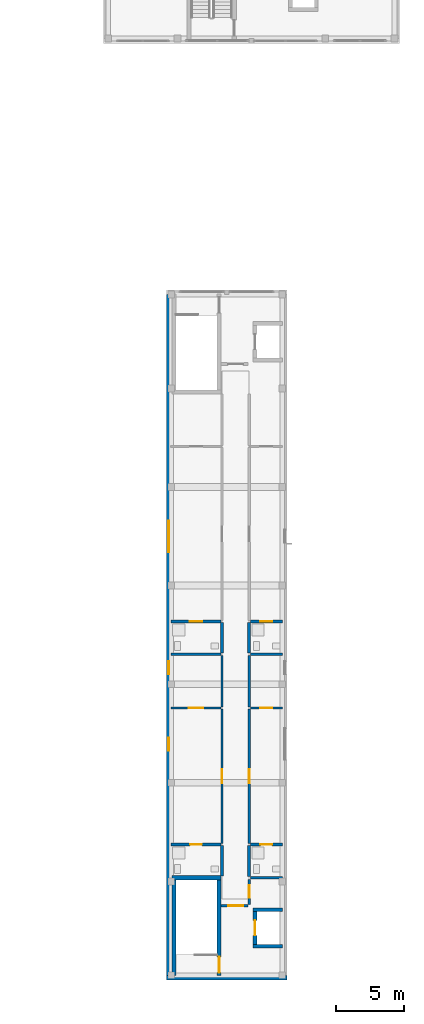
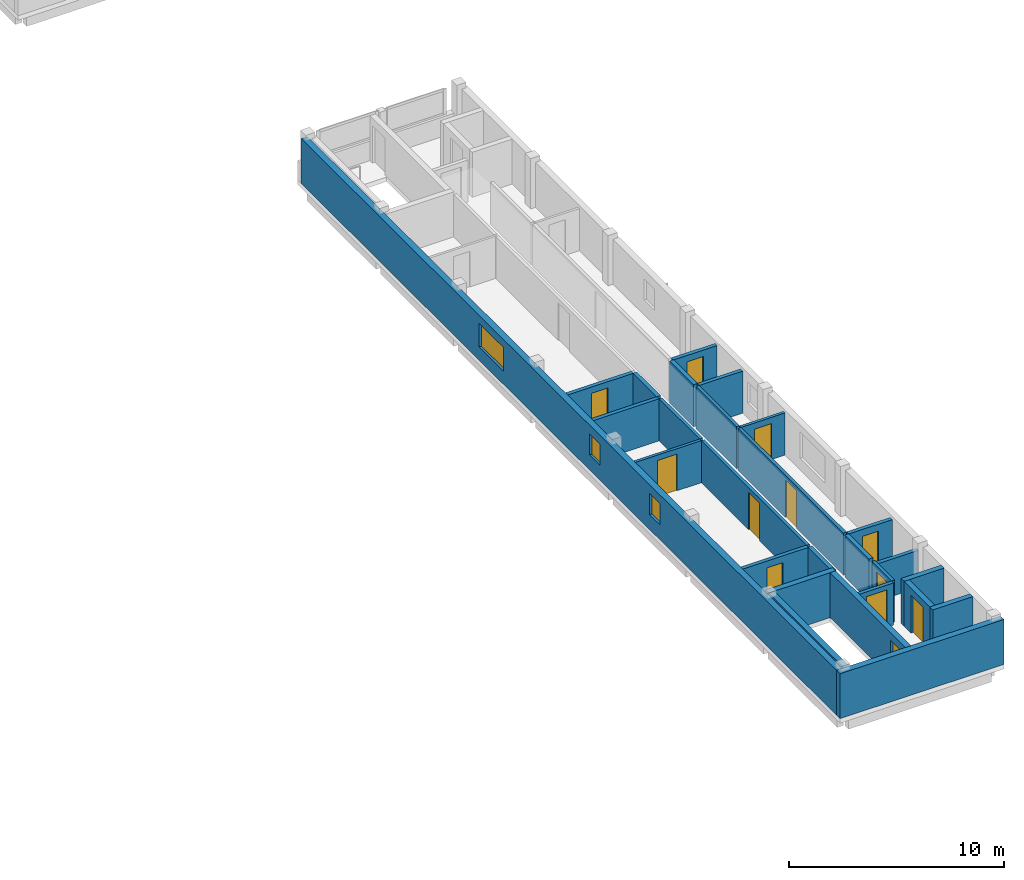
# One storey, part 14 of 28: 27 walls, 12 doors, 3 windows, 15 openings.
"""IFC4 building model written with IfcOpenShell, lengths in metres."""

import ifcopenshell
import ifcopenshell.guid

model = None  # the IFC model being written
_history = None  # IfcOwnerHistory: only IFC2X3 demands one
_inside = {}  # id of a spatial element -> (the spatial element, [elements in it])
_under = {}  # id of a project, library or spatial element -> (it, [spatial elements below it])
_declared = {}  # id of a project -> (the project, [libraries it declares])
_typed = {}  # id of a type object -> (the type object, [elements of that type])
_made_of = {}  # id of a material, layer set ... -> (it, [elements and type objects made of it])


def new_model(schema):
    """Start an empty IFC model of exactly this schema.

    Asked for "IFC4X3", IfcOpenShell would pick the latest addendum, in which some entities
    have other attributes; the version numbers below select the first issue.
    IFC2X3 requires an IfcOwnerHistory on every rooted entity: one is made here for all.
    """
    global model, _history
    if schema == "IFC4X3":
        model = ifcopenshell.file(schema_version=(4, 3, 0, 0))
    else:
        model = ifcopenshell.file(schema=schema)
    _inside.clear()
    _under.clear()
    _declared.clear()
    _typed.clear()
    _made_of.clear()
    _history = None
    if model.schema == "IFC2X3":
        org = make("IfcOrganization", Name="unknown")
        user = make(
            "IfcPersonAndOrganization",
            ThePerson=make("IfcPerson", FamilyName="unknown"),
            TheOrganization=org,
        )
        app = make(
            "IfcApplication",
            ApplicationDeveloper=org,
            Version="unknown",
            ApplicationFullName="unknown",
            ApplicationIdentifier="unknown",
        )
        _history = make(
            "IfcOwnerHistory",
            OwningUser=user,
            OwningApplication=app,
            ChangeAction="ADDED",
            CreationDate=0,
        )
    return model


def make(cls, **values):
    """One entity of the class cls with the attributes given. An attribute that is None is left unset."""
    return model.create_entity(
        cls, **{name: value for name, value in values.items() if value is not None}
    )


def rooted(cls, **values):
    """An entity with a GlobalId (a new one), such as an element, a storey or a relation."""
    return make(cls, GlobalId=ifcopenshell.guid.new(), OwnerHistory=_history, **values)


def si_unit(unit_type, name, prefix=None):
    """IfcSIUnit, for example si_unit("LENGTHUNIT", "METRE", prefix="MILLI")."""
    return make("IfcSIUnit", UnitType=unit_type, Prefix=prefix, Name=name)


def derived_unit(unit_type, elements):
    """IfcDerivedUnit: a product of units, each with its exponent."""
    return make(
        "IfcDerivedUnit",
        Elements=[
            make("IfcDerivedUnitElement", Unit=unit, Exponent=power)
            for unit, power in elements
        ],
        UnitType=unit_type,
    )


def assignment(units):
    """IfcUnitAssignment: the units of a project."""
    return None if units is None else make("IfcUnitAssignment", Units=units)


def point(xyz):
    """IfcCartesianPoint."""
    return None if xyz is None else make("IfcCartesianPoint", Coordinates=xyz)


def direction(xyz):
    """IfcDirection."""
    return None if xyz is None else make("IfcDirection", DirectionRatios=xyz)


def frame(location, z_axis=None, x_axis=None):
    """IfcAxis2Placement3D, a coordinate frame: its origin and axes. An axis left out is left unset."""
    return make(
        "IfcAxis2Placement3D",
        Location=point(location),
        Axis=direction(z_axis),
        RefDirection=direction(x_axis),
    )


def frame_2d(location, x_axis=None):
    """IfcAxis2Placement2D, a coordinate frame in the plane: its origin and x axis."""
    return make(
        "IfcAxis2Placement2D", Location=point(location), RefDirection=direction(x_axis)
    )


def origin():
    """The frame at (0, 0, 0) with its axes left unset."""
    return frame((0.0, 0.0, 0.0))


def place(relative_to, where):
    """IfcLocalPlacement: puts the frame where relative to a parent placement (None: the world)."""
    return make(
        "IfcLocalPlacement", PlacementRelTo=relative_to, RelativePlacement=where
    )


def context(
    kind, dimensions, precision=None, world=None, true_north=None, identifier=None
):
    """IfcGeometricRepresentationContext, for example the 3D "Model" context."""
    return make(
        "IfcGeometricRepresentationContext",
        ContextIdentifier=identifier,
        ContextType=kind,
        CoordinateSpaceDimension=dimensions,
        Precision=precision,
        WorldCoordinateSystem=world,
        TrueNorth=true_north,
    )


def subcontext(parent, identifier, kind, view, scale=None):
    """IfcGeometricRepresentationSubContext, for example "Body" below "Model"."""
    return make(
        "IfcGeometricRepresentationSubContext",
        ContextIdentifier=identifier,
        ContextType=kind,
        ParentContext=parent,
        TargetScale=scale,
        TargetView=view,
    )


def project(units=None, contexts=None):
    """IfcProject with its units and contexts."""
    return rooted(
        "IfcProject",
        Name="project",
        RepresentationContexts=contexts,
        UnitsInContext=assignment(units),
    )


def spatial(cls, under=None, at=None, **own):
    """A site, building, storey or space (cls), placed at a placement, below another one or the project."""
    s = rooted(cls, ObjectPlacement=at, **own)
    if under is not None:
        _under.setdefault(under.id(), (under, []))[1].append(s)
    return s


def profile(cls, at=None, kind="AREA", **sizes):
    """A parametric profile (cls). Its sizes go by their IFC names, for example OverallWidth=200.0."""
    return make(cls, ProfileType=kind, Position=at, **sizes)


def rectangle(**sizes):
    """IfcRectangleProfileDef."""
    return profile("IfcRectangleProfileDef", **sizes)


def extrude(swept, where, along, depth):
    """IfcExtrudedAreaSolid: the profile swept, set in the frame where, extruded along a direction by depth."""
    return make(
        "IfcExtrudedAreaSolid",
        SweptArea=swept,
        Position=where,
        ExtrudedDirection=direction(along),
        Depth=depth,
    )


def shape(context_of_items, identifier, shape_type, items):
    """IfcShapeRepresentation: the items that make up one representation, for example the "Body"."""
    return make(
        "IfcShapeRepresentation",
        ContextOfItems=context_of_items,
        RepresentationIdentifier=identifier,
        RepresentationType=shape_type,
        Items=items,
    )


def material(Name=None, Category=None):
    """IfcMaterial."""
    return make("IfcMaterial", Name=Name, Category=Category)


def layer(
    of_material, thickness, ventilated=None, Name=None, Category=None, Priority=None
):
    """IfcMaterialLayer: one layer of a wall or slab, of a material (None: an air gap)."""
    return make(
        "IfcMaterialLayer",
        Material=of_material,
        LayerThickness=thickness,
        IsVentilated=ventilated,
        Name=Name,
        Category=Category,
        Priority=Priority,
    )


def layer_set(layers, Name=None):
    """IfcMaterialLayerSet."""
    return make("IfcMaterialLayerSet", MaterialLayers=layers, LayerSetName=Name)


def made_of(thing, what):
    """Note that an element or type object is made of a material, layer set ...; save() writes the relation."""
    if what is not None:
        _made_of.setdefault(what.id(), (what, []))[1].append(thing)
    return thing


def type_object(cls, material=None, **own):
    """A type object (cls), such as IfcWallType, which elements share."""
    return made_of(rooted(cls, **own), material)


def element(
    cls,
    number,
    at=None,
    inside=None,
    cuts=None,
    type_object=None,
    material=None,
    context=None,
    identifier="Body",
    shape_type=None,
    held_by="IfcProductDefinitionShape",
    body=None,
    shapes=None,
    **own,
):
    """One element of the class cls, such as IfcWall. Its Tag is "e" and its number.

    at: its placement. inside: the storey or other place that contains it. cuts: it is an
    opening in that element (IfcRelVoidsElement). A single representation is given by context,
    identifier, shape_type and body (its items); several are given by shapes. held_by: the class
    of the entity that holds the representations. save() writes the other relations.
    """
    e = rooted(cls, Tag="e%d" % number, ObjectPlacement=at, **own)
    if body is not None:
        shapes = [shape(context, identifier, shape_type, body)]
    if shapes is not None:
        e.Representation = make(held_by, Representations=shapes)
    if inside is not None:
        _inside.setdefault(inside.id(), (inside, []))[1].append(e)
    if cuts is not None:
        rooted(
            "IfcRelVoidsElement", RelatingBuildingElement=cuts, RelatedOpeningElement=e
        )
    if type_object is not None:
        _typed.setdefault(type_object.id(), (type_object, []))[1].append(e)
    return made_of(e, material)


def fill(opening, filler):
    """IfcRelFillsElement: the door or window that sits in an opening."""
    return rooted(
        "IfcRelFillsElement",
        RelatingOpeningElement=opening,
        RelatedBuildingElement=filler,
    )


def aggregate(whole, parts):
    """IfcRelAggregates: a whole, such as a stair, and the parts it consists of."""
    return rooted("IfcRelAggregates", RelatingObject=whole, RelatedObjects=parts)


def save(model, path):
    """Write the relations noted so far, then the file.

    IfcRelAggregates (storeys below a building ...), IfcRelContainedInSpatialStructure (elements
    in a storey), IfcRelDefinesByType, IfcRelAssociatesMaterial and IfcRelDeclares: one each for
    every whole, place, type object, material and project.
    """
    for whole, parts in _under.values():
        aggregate(whole, parts)
    for where, things in _inside.values():
        rooted(
            "IfcRelContainedInSpatialStructure",
            RelatedElements=things,
            RelatingStructure=where,
        )
    for kind, things in _typed.values():
        rooted("IfcRelDefinesByType", RelatedObjects=things, RelatingType=kind)
    for what, things in _made_of.values():
        rooted("IfcRelAssociatesMaterial", RelatedObjects=things, RelatingMaterial=what)
    for by, libraries in _declared.values():
        rooted("IfcRelDeclares", RelatingContext=by, RelatedDefinitions=libraries)
    model.write(path)


model = new_model("IFC4")

# Units and contexts
model_context = context("Model", 3, precision=1e-05, world=origin(), true_north=direction((0.0, 1.0)))
body_context = subcontext(model_context, "Body", "Model", "MODEL_VIEW")
ifc_project = project(units=[si_unit("LENGTHUNIT", "METRE"), si_unit("AREAUNIT", "SQUARE_METRE"), si_unit("VOLUMEUNIT", "CUBIC_METRE"), si_unit("PLANEANGLEUNIT", "RADIAN"), si_unit("MASSUNIT", "GRAM", prefix="KILO"), derived_unit("THERMALTRANSMITTANCEUNIT", [(si_unit("MASSUNIT", "GRAM", prefix="KILO"), 1), (si_unit("TIMEUNIT", "SECOND"), -3), (si_unit("THERMODYNAMICTEMPERATUREUNIT", "KELVIN"), -1)])], contexts=[model_context])

# Site, building, storey
site_placement = place(None, origin())
site = spatial("IfcSite", under=ifc_project, at=site_placement, CompositionType="ELEMENT")
building_placement = place(site_placement, origin())
building = spatial("IfcBuilding", under=site, at=building_placement, Name="Ochrekiln Boulevard Commons", CompositionType="ELEMENT")
storey_placement = place(building_placement, frame((0.0, 0.0, 34.125)))
storey = spatial("IfcBuildingStorey", under=building, at=storey_placement, Name="L10", CompositionType="ELEMENT", Elevation=34.125)

# Wall
ifc_material_1 = material(Name="Desert ochre clinker brick masonry ASTM C216 Grade SW", Category="masonry")
ifc_layer_1 = layer(ifc_material_1, 0.330078125)
ifc_layer_set_1 = layer_set([ifc_layer_1], Name="Desert ochre clinker brick masonry ASTM C216 Grade SW")
wall_type_1 = type_object("IfcWallType", Name="WL-EXT-OCHRE-330", PredefinedType="SOLIDWALL", material=ifc_layer_set_1)
wall_1_placement = place(storey_placement, frame((155.800048828125, 0.1650390625, 0.0), z_axis=(0.0, 0.0, 1.0), x_axis=(1.0, 0.0, 0.0)))
element("IfcWall", 1, at=wall_1_placement, inside=storey, type_object=wall_type_1, Name="Block C L10 S Exterior Wall", PredefinedType="SOLIDWALL", context=body_context, shape_type="SweptSolid", body=[
    extrude(rectangle(XDim=8.800048828125, YDim=0.330078125, at=frame_2d((4.39990234375, 0.0))), origin(), (0.0, 0.0, 1.0), 2.550048828125),
])

# Wall, openings, windows
wall_2_placement = place(storey_placement, frame((155.965087890625, 0.330078125, 0.0), z_axis=(0.0, 0.0, 1.0), x_axis=(0.0, 1.0, 0.0)))
wall_2 = element("IfcWall", 2, at=wall_2_placement, inside=storey, type_object=wall_type_1, Name="Block C L10 W Exterior Wall", PredefinedType="SOLIDWALL", context=body_context, shape_type="SweptSolid", body=[
    extrude(rectangle(XDim=49.739990234375, YDim=0.330078125, at=frame_2d((24.8701171875, 0.0))), origin(), (0.0, 0.0, 1.0), 2.550048828125),
])
opening_1_placement = place(wall_2_placement, frame((16.416015625, 0.0, 0.85009765625)))
opening_1 = element("IfcOpeningElement", 3, at=opening_1_placement, cuts=wall_2, Name="Opening W-01", PredefinedType="OPENING", context=body_context, shape_type="SweptSolid", body=[
    extrude(rectangle(XDim=0.949951171875, YDim=1.199951171875, at=frame_2d((0.47509765625, 0.60009765625))), frame((0.0, 0.175048828125, 0.0), z_axis=(0.0, -1.0, 0.0), x_axis=(1.0, 0.0, 0.0)), (0.0, 0.0, 1.0), 0.35009765625),
])
opening_2_placement = place(wall_2_placement, frame((21.98095703125, 0.0, 0.85009765625)))
opening_2 = element("IfcOpeningElement", 4, at=opening_2_placement, cuts=wall_2, Name="Opening W-01", PredefinedType="OPENING", context=body_context, shape_type="SweptSolid", body=[
    extrude(rectangle(XDim=0.949951171875, YDim=1.199951171875, at=frame_2d((0.47509765625, 0.60009765625))), frame((0.0, 0.175048828125, 0.0), z_axis=(0.0, -1.0, 0.0), x_axis=(1.0, 0.0, 0.0)), (0.0, 0.0, 1.0), 0.35009765625),
])
opening_3_placement = place(wall_2_placement, frame((30.919921875, 0.0, 0.75)))
opening_3 = element("IfcOpeningElement", 5, at=opening_3_placement, cuts=wall_2, Name="Opening W-57", PredefinedType="OPENING", context=body_context, shape_type="SweptSolid", body=[
    extrude(rectangle(XDim=2.300048828125, YDim=1.35009765625, at=frame_2d((1.14990234375, 0.675048828125))), frame((0.0, 0.175048828125, 0.0), z_axis=(0.0, -1.0, 0.0), x_axis=(1.0, 0.0, 0.0)), (0.0, 0.0, 1.0), 0.35009765625),
])
ifc_material_2 = material(Name="Thermally broken aluminium-clad oak frame", Category="aluminium")
window_type_1 = type_object("IfcWindowType", Name="WIN-EXT-01", PartitioningType="SINGLE_PANEL", PredefinedType="WINDOW", material=ifc_material_2)
window_1_placement = place(opening_1_placement, origin())
window_1 = element("IfcWindow", 6, at=window_1_placement, inside=storey, type_object=window_type_1, Name="Block C L10 Punched Masonry Window W-01", OverallHeight=1.199951171875, OverallWidth=0.949951171875, PartitioningType="SINGLE_PANEL", PredefinedType="WINDOW", context=body_context, shape_type="SweptSolid", body=[
    extrude(rectangle(XDim=0.949951171875, YDim=1.199951171875, at=frame_2d((0.47509765625, 0.60009765625))), frame((0.0, 0.030029296875, 0.0), z_axis=(0.0, -1.0, 0.0), x_axis=(1.0, 0.0, 0.0)), (0.0, 0.0, 1.0), 0.06005859375),
])
fill(opening_1, window_1)
window_2_placement = place(opening_2_placement, origin())
window_2 = element("IfcWindow", 7, at=window_2_placement, inside=storey, type_object=window_type_1, Name="Block C L10 Punched Masonry Window W-01", OverallHeight=1.199951171875, OverallWidth=0.949951171875, PartitioningType="SINGLE_PANEL", PredefinedType="WINDOW", context=body_context, shape_type="SweptSolid", body=[
    extrude(rectangle(XDim=0.949951171875, YDim=1.199951171875, at=frame_2d((0.47509765625, 0.60009765625))), frame((0.0, 0.030029296875, 0.0), z_axis=(0.0, -1.0, 0.0), x_axis=(1.0, 0.0, 0.0)), (0.0, 0.0, 1.0), 0.06005859375),
])
fill(opening_2, window_2)
window_type_2 = type_object("IfcWindowType", Name="WIN-EXT-57", PartitioningType="DOUBLE_PANEL_VERTICAL", PredefinedType="WINDOW", material=ifc_material_2)
window_3_placement = place(opening_3_placement, origin())
window_3 = element("IfcWindow", 8, at=window_3_placement, inside=storey, type_object=window_type_2, Name="Block C L10 Punched Masonry Window W-57", OverallHeight=1.35009765625, OverallWidth=2.300048828125, PartitioningType="DOUBLE_PANEL_VERTICAL", PredefinedType="WINDOW", context=body_context, shape_type="SweptSolid", body=[
    extrude(rectangle(XDim=2.300048828125, YDim=1.35009765625, at=frame_2d((1.14990234375, 0.675048828125))), frame((0.0, 0.030029296875, 0.0), z_axis=(0.0, -1.0, 0.0), x_axis=(1.0, 0.0, 0.0)), (0.0, 0.0, 1.0), 0.06005859375),
])
fill(opening_3, window_3)

# Wall
ifc_material_3 = material(Name="Moisture-resistant cementitious tile backer wall")
ifc_layer_2 = layer(ifc_material_3, 0.199951171875)
ifc_layer_set_2 = layer_set([ifc_layer_2], Name="Moisture-resistant cementitious tile backer wall")
wall_type_2 = type_object("IfcWallType", Name="WL-PLM-200", PredefinedType="PLUMBINGWALL", material=ifc_layer_set_2)
wall_3_placement = place(storey_placement, frame((161.923095703125, 7.47509765625, 0.0), z_axis=(0.0, 0.0, 1.0), x_axis=(1.0, 0.0, 0.0)))
element("IfcWall", 9, at=wall_3_placement, inside=storey, type_object=wall_type_2, Name="L10 Interior Wall W-PW200", PredefinedType="PLUMBINGWALL", context=body_context, shape_type="SweptSolid", body=[
    extrude(rectangle(XDim=2.346923828125, YDim=0.199951171875, at=frame_2d((1.17333984375, 0.0))), origin(), (0.0, 0.0, 1.0), 2.1201171875),
])

# Wall, opening, door
wall_4_placement = place(storey_placement, frame((156.1298828125, 9.89990234375, 0.0), z_axis=(0.0, 0.0, 1.0), x_axis=(1.0, 0.0, 0.0)))
wall_4 = element("IfcWall", 10, at=wall_4_placement, inside=storey, type_object=wall_type_2, Name="L10 Interior Wall W-PW200", PredefinedType="PLUMBINGWALL", context=body_context, shape_type="SweptSolid", body=[
    extrude(rectangle(XDim=3.648193359375, YDim=0.199951171875, at=frame_2d((1.82421875, 0.0))), origin(), (0.0, 0.0, 1.0), 2.389892578125),
])
opening_4_placement = place(wall_4_placement, frame((1.39990234375, 0.0, 0.0)))
opening_4 = element("IfcOpeningElement", 11, at=opening_4_placement, cuts=wall_4, Name="Opening D-L10-1231", PredefinedType="OPENING", context=body_context, shape_type="SweptSolid", body=[
    extrude(rectangle(XDim=0.860107421875, YDim=2.0, at=frame_2d((0.43017578125, 1.0))), frame((0.0, 0.10986328125, 0.0), z_axis=(0.0, -1.0, 0.0), x_axis=(1.0, 0.0, 0.0)), (0.0, 0.0, 1.0), 0.219970703125),
])
ifc_material_4 = material(Name="Solid core architectural oak door leaf")
door_type_1 = type_object("IfcDoorType", Name="DR-INT-BTH-086", OperationType="NOTDEFINED", PredefinedType="DOOR", material=ifc_material_4)
door_1_placement = place(opening_4_placement, frame((0.860107421875, 0.0, 0.0), z_axis=(0.0, 0.0, 1.0), x_axis=(-1.0, 0.0, 0.0)))
door_1 = element("IfcDoor", 12, at=door_1_placement, inside=storey, type_object=door_type_1, Name="L10 Interior Door to Loft Bathroom", OperationType="SINGLE_SWING_LEFT", OverallHeight=2.0, OverallWidth=0.860107421875, PredefinedType="DOOR", context=body_context, shape_type="SweptSolid", body=[
    extrude(rectangle(XDim=0.860107421875, YDim=2.0, at=frame_2d((0.43017578125, 1.0))), frame((0.0, 0.02490234375, 0.0), z_axis=(0.0, -1.0, 0.0), x_axis=(1.0, 0.0, 0.0)), (0.0, 0.0, 1.0), 0.050048828125),
])
fill(opening_4, door_1)

# Wall
wall_5_placement = place(storey_placement, frame((156.1298828125, 23.7919921875, 0.0), z_axis=(0.0, 0.0, 1.0), x_axis=(1.0, 0.0, 0.0)))
element("IfcWall", 13, at=wall_5_placement, inside=storey, type_object=wall_type_2, Name="L10 Interior Wall W-PW200", PredefinedType="PLUMBINGWALL", context=body_context, shape_type="SweptSolid", body=[
    extrude(rectangle(XDim=3.648193359375, YDim=0.199951171875, at=frame_2d((1.82421875, 0.0))), origin(), (0.0, 0.0, 1.0), 2.389892578125),
])

# Wall, opening, door
wall_6_placement = place(storey_placement, frame((156.1298828125, 26.181884765625, 0.0), z_axis=(0.0, 0.0, 1.0), x_axis=(1.0, 0.0, 0.0)))
wall_6 = element("IfcWall", 14, at=wall_6_placement, inside=storey, type_object=wall_type_2, Name="L10 Interior Wall W-PW200", PredefinedType="PLUMBINGWALL", context=body_context, shape_type="SweptSolid", body=[
    extrude(rectangle(XDim=3.648193359375, YDim=0.199951171875, at=frame_2d((1.82421875, 0.0))), origin(), (0.0, 0.0, 1.0), 2.389892578125),
])
opening_5_placement = place(wall_6_placement, frame((1.385009765625, 0.0, 0.0)))
opening_5 = element("IfcOpeningElement", 15, at=opening_5_placement, cuts=wall_6, Name="Opening D-L10-1233", PredefinedType="OPENING", context=body_context, shape_type="SweptSolid", body=[
    extrude(rectangle(XDim=0.889892578125, YDim=2.030029296875, at=frame_2d((0.44482421875, 1.01513671875))), frame((0.0, 0.10986328125, 0.0), z_axis=(0.0, -1.0, 0.0), x_axis=(1.0, 0.0, 0.0)), (0.0, 0.0, 1.0), 0.219970703125),
])
door_type_2 = type_object("IfcDoorType", Name="DR-INT-BTH-089", OperationType="NOTDEFINED", PredefinedType="DOOR", material=ifc_material_4)
door_2_placement = place(opening_5_placement, frame((0.889892578125, 0.0, 0.0), z_axis=(0.0, 0.0, 1.0), x_axis=(-1.0, 0.0, 0.0)))
door_2 = element("IfcDoor", 16, at=door_2_placement, inside=storey, type_object=door_type_2, Name="L10 Interior Door to Loft Bathroom", OperationType="SINGLE_SWING_LEFT", OverallHeight=2.030029296875, OverallWidth=0.889892578125, PredefinedType="DOOR", context=body_context, shape_type="SweptSolid", body=[
    extrude(rectangle(XDim=0.889892578125, YDim=2.030029296875, at=frame_2d((0.44482421875, 1.01513671875))), frame((0.0, 0.02490234375, 0.0), z_axis=(0.0, -1.0, 0.0), x_axis=(1.0, 0.0, 0.0)), (0.0, 0.0, 1.0), 0.050048828125),
])
fill(opening_5, door_2)

wall_7_placement = place(storey_placement, frame((161.923095703125, 9.89990234375, 0.0), z_axis=(0.0, 0.0, 1.0), x_axis=(1.0, 0.0, 0.0)))
wall_7 = element("IfcWall", 17, at=wall_7_placement, inside=storey, type_object=wall_type_2, Name="L10 Interior Wall W-PW200", PredefinedType="PLUMBINGWALL", context=body_context, shape_type="SweptSolid", body=[
    extrude(rectangle(XDim=2.346923828125, YDim=0.199951171875, at=frame_2d((1.17333984375, 0.0))), origin(), (0.0, 0.0, 1.0), 2.389892578125),
])
opening_6_placement = place(wall_7_placement, frame((0.737060546875, 0.0, 0.0)))
opening_6 = element("IfcOpeningElement", 18, at=opening_6_placement, cuts=wall_7, Name="Opening D-L10-1235", PredefinedType="OPENING", context=body_context, shape_type="SweptSolid", body=[
    extrude(rectangle(XDim=0.860107421875, YDim=2.0, at=frame_2d((0.43017578125, 1.0))), frame((0.0, 0.10986328125, 0.0), z_axis=(0.0, -1.0, 0.0), x_axis=(1.0, 0.0, 0.0)), (0.0, 0.0, 1.0), 0.219970703125),
])
door_3_placement = place(opening_6_placement, frame((0.860107421875, 0.0, 0.0), z_axis=(0.0, 0.0, 1.0), x_axis=(-1.0, 0.0, 0.0)))
door_3 = element("IfcDoor", 19, at=door_3_placement, inside=storey, type_object=door_type_1, Name="L10 Interior Door to Loft Bathroom", OperationType="SINGLE_SWING_LEFT", OverallHeight=2.0, OverallWidth=0.860107421875, PredefinedType="DOOR", context=body_context, shape_type="SweptSolid", body=[
    extrude(rectangle(XDim=0.860107421875, YDim=2.0, at=frame_2d((0.43017578125, 1.0))), frame((0.0, 0.02490234375, 0.0), z_axis=(0.0, -1.0, 0.0), x_axis=(1.0, 0.0, 0.0)), (0.0, 0.0, 1.0), 0.050048828125),
])
fill(opening_6, door_3)

# Wall
wall_8_placement = place(storey_placement, frame((161.923095703125, 23.7919921875, 0.0), z_axis=(0.0, 0.0, 1.0), x_axis=(1.0, 0.0, 0.0)))
element("IfcWall", 20, at=wall_8_placement, inside=storey, type_object=wall_type_2, Name="L10 Interior Wall W-PW200", PredefinedType="PLUMBINGWALL", context=body_context, shape_type="SweptSolid", body=[
    extrude(rectangle(XDim=2.346923828125, YDim=0.199951171875, at=frame_2d((1.17333984375, 0.0))), origin(), (0.0, 0.0, 1.0), 2.389892578125),
])

# Wall, opening, door
wall_9_placement = place(storey_placement, frame((161.923095703125, 26.181884765625, 0.0), z_axis=(0.0, 0.0, 1.0), x_axis=(1.0, 0.0, 0.0)))
wall_9 = element("IfcWall", 21, at=wall_9_placement, inside=storey, type_object=wall_type_2, Name="L10 Interior Wall W-PW200", PredefinedType="PLUMBINGWALL", context=body_context, shape_type="SweptSolid", body=[
    extrude(rectangle(XDim=2.346923828125, YDim=0.199951171875, at=frame_2d((1.17333984375, 0.0))), origin(), (0.0, 0.0, 1.0), 2.389892578125),
])
opening_7_placement = place(wall_9_placement, frame((0.721923828125, 0.0, 0.0)))
opening_7 = element("IfcOpeningElement", 22, at=opening_7_placement, cuts=wall_9, Name="Opening D-L10-1237", PredefinedType="OPENING", context=body_context, shape_type="SweptSolid", body=[
    extrude(rectangle(XDim=0.889892578125, YDim=2.030029296875, at=frame_2d((0.44482421875, 1.01513671875))), frame((0.0, 0.10986328125, 0.0), z_axis=(0.0, -1.0, 0.0), x_axis=(1.0, 0.0, 0.0)), (0.0, 0.0, 1.0), 0.219970703125),
])
door_4_placement = place(opening_7_placement, frame((0.889892578125, 0.0, 0.0), z_axis=(0.0, 0.0, 1.0), x_axis=(-1.0, 0.0, 0.0)))
door_4 = element("IfcDoor", 23, at=door_4_placement, inside=storey, type_object=door_type_2, Name="L10 Interior Door to Loft Bathroom", OperationType="SINGLE_SWING_LEFT", OverallHeight=2.030029296875, OverallWidth=0.889892578125, PredefinedType="DOOR", context=body_context, shape_type="SweptSolid", body=[
    extrude(rectangle(XDim=0.889892578125, YDim=2.030029296875, at=frame_2d((0.44482421875, 1.01513671875))), frame((0.0, 0.02490234375, 0.0), z_axis=(0.0, -1.0, 0.0), x_axis=(1.0, 0.0, 0.0)), (0.0, 0.0, 1.0), 0.050048828125),
])
fill(opening_7, door_4)

# Walls
ifc_layer_3 = layer(ifc_material_3, 0.219970703125)
ifc_layer_set_3 = layer_set([ifc_layer_3], Name="Moisture-resistant cementitious tile backer wall")
wall_type_3 = type_object("IfcWallType", Name="WL-PLM-220", PredefinedType="PLUMBINGWALL", material=ifc_layer_set_3)
for number, where, z_axis, x_axis, name in (
    (24, (159.860107421875, 7.60009765625, 0.0), (0.0, 0.0, 1.0), (0.0, 1.0, 0.0), "L10 Interior Wall W-PW220"),
    (25, (159.860107421875, 23.882080078125, 0.0), (0.0, 0.0, 1.0), (0.0, 1.0, 0.0), "L10 Interior Wall W-PW220"),
):
    element("IfcWall", number, at=place(storey_placement, frame(where, z_axis=z_axis, x_axis=x_axis)), inside=storey, type_object=wall_type_3, Name=name, PredefinedType="PLUMBINGWALL", context=body_context, shape_type="SweptSolid", body=[
        extrude(rectangle(XDim=2.219970703125, YDim=0.219970703125, at=frame_2d((1.10986328125, 0.0))), origin(), (0.0, 0.0, 1.0), 2.389892578125),
    ])
wall_10_placement = place(storey_placement, frame((161.840087890625, 7.574951171875, 0.0), z_axis=(0.0, 0.0, 1.0), x_axis=(0.0, 1.0, 0.0)))
element("IfcWall", 26, at=wall_10_placement, inside=storey, type_object=wall_type_3, Name="L10 Interior Wall W-PW220", PredefinedType="PLUMBINGWALL", context=body_context, shape_type="SweptSolid", body=[
    extrude(rectangle(XDim=2.2451171875, YDim=0.219970703125, at=frame_2d((1.12255859375, 0.0))), origin(), (0.0, 0.0, 1.0), 2.389892578125),
])
wall_11_placement = place(storey_placement, frame((161.840087890625, 23.882080078125, 0.0), z_axis=(0.0, 0.0, 1.0), x_axis=(0.0, 1.0, 0.0)))
element("IfcWall", 27, at=wall_11_placement, inside=storey, type_object=wall_type_3, Name="L10 Interior Wall W-PW220", PredefinedType="PLUMBINGWALL", context=body_context, shape_type="SweptSolid", body=[
    extrude(rectangle(XDim=2.219970703125, YDim=0.219970703125, at=frame_2d((1.10986328125, 0.0))), origin(), (0.0, 0.0, 1.0), 2.389892578125),
])

# Wall, opening, door
ifc_material_5 = material(Name="Fire-rated Type X gypsum board on steel studs", Category="steel")
ifc_layer_4 = layer(ifc_material_5, 0.1650390625)
ifc_layer_set_4 = layer_set([ifc_layer_4], Name="Fire-rated Type X gypsum board on steel studs")
wall_type_4 = type_object("IfcWallType", Name="WL-PT-CORR-165", PredefinedType="PARTITIONING", material=ifc_layer_set_4)
wall_12_placement = place(storey_placement, frame((161.840087890625, 5.514892578125, 0.0), z_axis=(0.0, 0.0, 1.0), x_axis=(0.0, 1.0, 0.0)))
wall_12 = element("IfcWall", 28, at=wall_12_placement, inside=storey, type_object=wall_type_4, Name="L10 Interior Wall W-PC165", PredefinedType="PARTITIONING", context=body_context, shape_type="SweptSolid", body=[
    extrude(rectangle(XDim=1.835205078125, YDim=0.1650390625, at=frame_2d((0.91748046875, 0.0))), origin(), (0.0, 0.0, 1.0), 2.389892578125),
])
opening_8_placement = place(wall_12_placement, frame((0.47509765625, 0.0, 0.0)))
opening_8 = element("IfcOpeningElement", 29, at=opening_8_placement, cuts=wall_12, Name="Opening D-L10-1226", PredefinedType="OPENING", context=body_context, shape_type="SweptSolid", body=[
    extrude(rectangle(XDim=0.919921875, YDim=2.0400390625, at=frame_2d((0.4599609375, 1.02001953125))), frame((0.0, 0.092529296875, 0.0), z_axis=(0.0, -1.0, 0.0), x_axis=(1.0, 0.0, 0.0)), (0.0, 0.0, 1.0), 0.18505859375),
])
ifc_material_6 = material(Name="Hollow metal fire-rated steel door assembly", Category="steel")
door_type_3 = type_object("IfcDoorType", Name="DR-SRV-90", OperationType="NOTDEFINED", PredefinedType="DOOR", material=ifc_material_6)
door_5_placement = place(opening_8_placement, frame((0.919921875, 0.0, 0.0), z_axis=(0.0, 0.0, 1.0), x_axis=(-1.0, 0.0, 0.0)))
door_5 = element("IfcDoor", 30, at=door_5_placement, inside=storey, type_object=door_type_3, Name="L10 Interior Door to Hydronic and Electrical Riser Room", OperationType="SINGLE_SWING_RIGHT", OverallHeight=2.0400390625, OverallWidth=0.919921875, PredefinedType="DOOR", context=body_context, shape_type="SweptSolid", body=[
    extrude(rectangle(XDim=0.919921875, YDim=2.0400390625, at=frame_2d((0.4599609375, 1.02001953125))), frame((0.0, 0.02490234375, 0.0), z_axis=(0.0, -1.0, 0.0), x_axis=(1.0, 0.0, 0.0)), (0.0, 0.0, 1.0), 0.050048828125),
])
fill(opening_8, door_5)

wall_13_placement = place(storey_placement, frame((159.860107421875, 9.97998046875, 0.0), z_axis=(0.0, 0.0, 1.0), x_axis=(0.0, 1.0, 0.0)))
wall_13 = element("IfcWall", 31, at=wall_13_placement, inside=storey, type_object=wall_type_4, Name="L10 Interior Wall W-PC165", PredefinedType="PARTITIONING", context=body_context, shape_type="SweptSolid", body=[
    extrude(rectangle(XDim=9.7919921875, YDim=0.1650390625, at=frame_2d((4.89599609375, 0.0))), origin(), (0.0, 0.0, 1.0), 2.389892578125),
])
opening_9_placement = place(wall_13_placement, frame((4.37109375, 0.0, 0.0)))
opening_9 = element("IfcOpeningElement", 32, at=opening_9_placement, cuts=wall_13, Name="Opening D-L10-1227", PredefinedType="OPENING", context=body_context, shape_type="SweptSolid", body=[
    extrude(rectangle(XDim=1.050048828125, YDim=2.1298828125, at=frame_2d((0.52490234375, 1.06494140625))), frame((0.0, 0.092529296875, 0.0), z_axis=(0.0, -1.0, 0.0), x_axis=(1.0, 0.0, 0.0)), (0.0, 0.0, 1.0), 0.18505859375),
])
door_type_4 = type_object("IfcDoorType", Name="DR-INT-APT-105", OperationType="NOTDEFINED", PredefinedType="DOOR", material=ifc_material_4)
door_6_placement = place(opening_9_placement, origin())
door_6 = element("IfcDoor", 33, at=door_6_placement, inside=storey, type_object=door_type_4, Name="L10 Interior Door to Loft Living Room", OperationType="SINGLE_SWING_LEFT", OverallHeight=2.1298828125, OverallWidth=1.050048828125, PredefinedType="DOOR", context=body_context, shape_type="SweptSolid", body=[
    extrude(rectangle(XDim=1.050048828125, YDim=2.1298828125, at=frame_2d((0.52490234375, 1.06494140625))), frame((0.0, 0.02490234375, 0.0), z_axis=(0.0, -1.0, 0.0), x_axis=(1.0, 0.0, 0.0)), (0.0, 0.0, 1.0), 0.050048828125),
])
fill(opening_9, door_6)

# Wall
wall_14_placement = place(storey_placement, frame((159.860107421875, 19.931884765625, 0.0), z_axis=(0.0, 0.0, 1.0), x_axis=(0.0, 1.0, 0.0)))
element("IfcWall", 34, at=wall_14_placement, inside=storey, type_object=wall_type_4, Name="L10 Interior Wall W-PC165", PredefinedType="PARTITIONING", context=body_context, shape_type="SweptSolid", body=[
    extrude(rectangle(XDim=3.77001953125, YDim=0.1650390625, at=frame_2d((1.885009765625, 0.0))), origin(), (0.0, 0.0, 1.0), 2.389892578125),
])

# Wall, opening, door
wall_15_placement = place(storey_placement, frame((161.840087890625, 9.97998046875, 0.0), z_axis=(0.0, 0.0, 1.0), x_axis=(0.0, 1.0, 0.0)))
wall_15 = element("IfcWall", 35, at=wall_15_placement, inside=storey, type_object=wall_type_4, Name="L10 Interior Wall W-PC165", PredefinedType="PARTITIONING", context=body_context, shape_type="SweptSolid", body=[
    extrude(rectangle(XDim=9.7919921875, YDim=0.1650390625, at=frame_2d((4.89599609375, 0.0))), origin(), (0.0, 0.0, 1.0), 2.389892578125),
])
opening_10_placement = place(wall_15_placement, frame((4.37109375, 0.0, 0.0)))
opening_10 = element("IfcOpeningElement", 36, at=opening_10_placement, cuts=wall_15, Name="Opening D-L10-1229", PredefinedType="OPENING", context=body_context, shape_type="SweptSolid", body=[
    extrude(rectangle(XDim=1.050048828125, YDim=2.1298828125, at=frame_2d((0.52490234375, 1.06494140625))), frame((0.0, 0.092529296875, 0.0), z_axis=(0.0, -1.0, 0.0), x_axis=(1.0, 0.0, 0.0)), (0.0, 0.0, 1.0), 0.18505859375),
])
door_7_placement = place(opening_10_placement, frame((1.050048828125, 0.0, 0.0), z_axis=(0.0, 0.0, 1.0), x_axis=(-1.0, 0.0, 0.0)))
door_7 = element("IfcDoor", 37, at=door_7_placement, inside=storey, type_object=door_type_4, Name="L10 Interior Door to Loft Living Room", OperationType="SINGLE_SWING_LEFT", OverallHeight=2.1298828125, OverallWidth=1.050048828125, PredefinedType="DOOR", context=body_context, shape_type="SweptSolid", body=[
    extrude(rectangle(XDim=1.050048828125, YDim=2.1298828125, at=frame_2d((0.52490234375, 1.06494140625))), frame((0.0, 0.02490234375, 0.0), z_axis=(0.0, -1.0, 0.0), x_axis=(1.0, 0.0, 0.0)), (0.0, 0.0, 1.0), 0.050048828125),
])
fill(opening_10, door_7)

# Wall
wall_16_placement = place(storey_placement, frame((161.840087890625, 19.931884765625, 0.0), z_axis=(0.0, 0.0, 1.0), x_axis=(0.0, 1.0, 0.0)))
element("IfcWall", 38, at=wall_16_placement, inside=storey, type_object=wall_type_4, Name="L10 Interior Wall W-PC165", PredefinedType="PARTITIONING", context=body_context, shape_type="SweptSolid", body=[
    extrude(rectangle(XDim=3.77001953125, YDim=0.1650390625, at=frame_2d((1.885009765625, 0.0))), origin(), (0.0, 0.0, 1.0), 2.389892578125),
])

# Wall, opening, door
ifc_layer_5 = layer(ifc_material_5, 0.18994140625)
ifc_layer_set_5 = layer_set([ifc_layer_5], Name="Fire-rated Type X gypsum board on steel studs")
wall_type_5 = type_object("IfcWallType", Name="WL-PT-LBY-190", PredefinedType="PARTITIONING", material=ifc_layer_set_5)
wall_17_placement = place(storey_placement, frame((159.800048828125, 5.419921875, 0.0), z_axis=(0.0, 0.0, 1.0), x_axis=(1.0, 0.0, 0.0)))
wall_17 = element("IfcWall", 39, at=wall_17_placement, inside=storey, type_object=wall_type_5, Name="L10 Interior Wall W-PL190", PredefinedType="PARTITIONING", context=body_context, shape_type="SweptSolid", body=[
    extrude(rectangle(XDim=1.949951171875, YDim=0.18994140625, at=frame_2d((0.97509765625, 0.0))), origin(), (0.0, 0.0, 1.0), 2.389892578125),
])
opening_11_placement = place(wall_17_placement, frame((0.5, 0.0, 0.0)))
opening_11 = element("IfcOpeningElement", 40, at=opening_11_placement, cuts=wall_17, Name="Opening D-L10-1224", PredefinedType="OPENING", context=body_context, shape_type="SweptSolid", body=[
    extrude(rectangle(XDim=1.10009765625, YDim=2.1201171875, at=frame_2d((0.550048828125, 1.06005859375))), frame((0.0, 0.10498046875, 0.0), z_axis=(0.0, -1.0, 0.0), x_axis=(1.0, 0.0, 0.0)), (0.0, 0.0, 1.0), 0.2099609375),
])
door_type_5 = type_object("IfcDoorType", Name="DR-LOBBY-60", OperationType="NOTDEFINED", PredefinedType="DOOR", material=ifc_material_6)
door_8_placement = place(opening_11_placement, frame((1.10009765625, 0.0, 0.0), z_axis=(0.0, 0.0, 1.0), x_axis=(-1.0, 0.0, 0.0)))
door_8 = element("IfcDoor", 41, at=door_8_placement, inside=storey, type_object=door_type_5, Name="L10 Interior Door to Passenger Elevator Lobby", OperationType="SINGLE_SWING_RIGHT", OverallHeight=2.1201171875, OverallWidth=1.10009765625, PredefinedType="DOOR", context=body_context, shape_type="SweptSolid", body=[
    extrude(rectangle(XDim=1.10009765625, YDim=2.1201171875, at=frame_2d((0.550048828125, 1.06005859375))), frame((0.0, 0.02490234375, 0.0), z_axis=(0.0, -1.0, 0.0), x_axis=(1.0, 0.0, 0.0)), (0.0, 0.0, 1.0), 0.050048828125),
])
fill(opening_11, door_8)

ifc_layer_6 = layer(ifc_material_5, 0.14990234375)
ifc_layer_set_6 = layer_set([ifc_layer_6], Name="Fire-rated Type X gypsum board on steel studs")
wall_type_6 = type_object("IfcWallType", Name="WL-PT-STD-150", PredefinedType="PARTITIONING", material=ifc_layer_set_6)
wall_18_placement = place(storey_placement, frame((156.1298828125, 19.85205078125, 0.0), z_axis=(0.0, 0.0, 1.0), x_axis=(1.0, 0.0, 0.0)))
wall_18 = element("IfcWall", 42, at=wall_18_placement, inside=storey, type_object=wall_type_6, Name="L10 Interior Wall W-PS150", PredefinedType="PARTITIONING", context=body_context, shape_type="SweptSolid", body=[
    extrude(rectangle(XDim=3.648193359375, YDim=0.14990234375, at=frame_2d((1.82421875, 0.0))), origin(), (0.0, 0.0, 1.0), 2.389892578125),
])
opening_12_placement = place(wall_18_placement, frame((1.31005859375, 0.0, 0.0)))
opening_12 = element("IfcOpeningElement", 43, at=opening_12_placement, cuts=wall_18, Name="Opening D-L10-1232", PredefinedType="OPENING", context=body_context, shape_type="SweptSolid", body=[
    extrude(rectangle(XDim=1.0400390625, YDim=2.080078125, at=frame_2d((0.52001953125, 1.0400390625))), frame((0.0, 0.0849609375, 0.0), z_axis=(0.0, -1.0, 0.0), x_axis=(1.0, 0.0, 0.0)), (0.0, 0.0, 1.0), 0.169921875),
])
door_type_6 = type_object("IfcDoorType", Name="DR-INT-BED-104", OperationType="NOTDEFINED", PredefinedType="DOOR", material=ifc_material_4)
door_9_placement = place(opening_12_placement, origin())
door_9 = element("IfcDoor", 44, at=door_9_placement, inside=storey, type_object=door_type_6, Name="L10 Interior Door to Loft Bedroom", OperationType="SINGLE_SWING_RIGHT", OverallHeight=2.080078125, OverallWidth=1.0400390625, PredefinedType="DOOR", context=body_context, shape_type="SweptSolid", body=[
    extrude(rectangle(XDim=1.0400390625, YDim=2.080078125, at=frame_2d((0.52001953125, 1.0400390625))), frame((0.0, 0.02490234375, 0.0), z_axis=(0.0, -1.0, 0.0), x_axis=(1.0, 0.0, 0.0)), (0.0, 0.0, 1.0), 0.050048828125),
])
fill(opening_12, door_9)

wall_19_placement = place(storey_placement, frame((161.923095703125, 19.85205078125, 0.0), z_axis=(0.0, 0.0, 1.0), x_axis=(1.0, 0.0, 0.0)))
wall_19 = element("IfcWall", 45, at=wall_19_placement, inside=storey, type_object=wall_type_6, Name="L10 Interior Wall W-PS150", PredefinedType="PARTITIONING", context=body_context, shape_type="SweptSolid", body=[
    extrude(rectangle(XDim=2.346923828125, YDim=0.14990234375, at=frame_2d((1.17333984375, 0.0))), origin(), (0.0, 0.0, 1.0), 2.389892578125),
])
opening_13_placement = place(wall_19_placement, frame((0.717041015625, 0.0, 0.0)))
opening_13 = element("IfcOpeningElement", 46, at=opening_13_placement, cuts=wall_19, Name="Opening D-L10-1236", PredefinedType="OPENING", context=body_context, shape_type="SweptSolid", body=[
    extrude(rectangle(XDim=0.89990234375, YDim=2.0400390625, at=frame_2d((0.449951171875, 1.02001953125))), frame((0.0, 0.0849609375, 0.0), z_axis=(0.0, -1.0, 0.0), x_axis=(1.0, 0.0, 0.0)), (0.0, 0.0, 1.0), 0.169921875),
])
door_type_7 = type_object("IfcDoorType", Name="DR-INT-BED-090", OperationType="NOTDEFINED", PredefinedType="DOOR", material=ifc_material_4)
door_10_placement = place(opening_13_placement, origin())
door_10 = element("IfcDoor", 47, at=door_10_placement, inside=storey, type_object=door_type_7, Name="L10 Interior Door to Loft Bedroom", OperationType="SINGLE_SWING_RIGHT", OverallHeight=2.0400390625, OverallWidth=0.89990234375, PredefinedType="DOOR", context=body_context, shape_type="SweptSolid", body=[
    extrude(rectangle(XDim=0.89990234375, YDim=2.0400390625, at=frame_2d((0.449951171875, 1.02001953125))), frame((0.0, 0.02490234375, 0.0), z_axis=(0.0, -1.0, 0.0), x_axis=(1.0, 0.0, 0.0)), (0.0, 0.0, 1.0), 0.050048828125),
])
fill(opening_13, door_10)

# Walls
ifc_material_7 = material(Name="Concrete C40/50", Category="concrete")
ifc_layer_7 = layer(ifc_material_7, 0.27490234375)
ifc_layer_set_7 = layer_set([ifc_layer_7], Name="Concrete C40/50")
wall_type_7 = type_object("IfcWallType", Name="WL-SH-275", PredefinedType="SHEAR", material=ifc_layer_set_7)
for number, where, z_axis, x_axis, name in (
    (48, (162.125, 2.46240234375, 0.0), (0.0, 0.0, 1.0), (1.0, 0.0, 0.0), "Elevator LP-C1 L10 Hoistway Shear Wall"),
    (49, (162.125, 5.137451171875, 0.0), (0.0, 0.0, 1.0), (1.0, 0.0, 0.0), "Elevator LP-C1 L10 Hoistway Shear Wall"),
):
    element("IfcWall", number, at=place(storey_placement, frame(where, z_axis=z_axis, x_axis=x_axis)), inside=storey, type_object=wall_type_7, Name=name, PredefinedType="SHEAR", context=body_context, shape_type="SweptSolid", body=[
        extrude(rectangle(XDim=2.14990234375, YDim=0.27490234375, at=frame_2d((1.074951171875, 0.0))), origin(), (0.0, 0.0, 1.0), 2.550048828125),
    ])

# Wall, opening, door
wall_20_placement = place(storey_placement, frame((162.262451171875, 2.60009765625, 0.0), z_axis=(0.0, 0.0, 1.0), x_axis=(0.0, 1.0, 0.0)))
wall_20 = element("IfcWall", 50, at=wall_20_placement, inside=storey, type_object=wall_type_7, Name="Elevator LP-C1 L10 Hoistway Shear Wall", PredefinedType="SHEAR", context=body_context, shape_type="SweptSolid", body=[
    extrude(rectangle(XDim=2.39990234375, YDim=0.27490234375, at=frame_2d((1.199951171875, 0.0))), origin(), (0.0, 0.0, 1.0), 2.550048828125),
])
opening_14_placement = place(wall_20_placement, frame((0.64990234375, 0.0, 0.0)))
opening_14 = element("IfcOpeningElement", 51, at=opening_14_placement, cuts=wall_20, Name="Opening LD-LP-C1-L10", PredefinedType="OPENING", context=body_context, shape_type="SweptSolid", body=[
    extrude(rectangle(XDim=1.10009765625, YDim=2.14990234375, at=frame_2d((0.550048828125, 1.074951171875))), frame((0.0, 0.1474609375, 0.0), z_axis=(0.0, -1.0, 0.0), x_axis=(1.0, 0.0, 0.0)), (0.0, 0.0, 1.0), 0.294921875),
])
ifc_material_8 = material(Name="Brushed stainless steel 316 elevator cab and doors", Category="steel")
door_type_8 = type_object("IfcDoorType", Name="DR-LIFT-LD90", OperationType="SLIDING_TO_LEFT", PredefinedType="DOOR", material=ifc_material_8)
door_11_placement = place(opening_14_placement, origin())
door_11 = element("IfcDoor", 52, at=door_11_placement, inside=storey, type_object=door_type_8, Name="Elevator LP-C1 L10 Sliding Landing Door LD-LP-C1-L10", OperationType="SLIDING_TO_LEFT", OverallHeight=2.14990234375, OverallWidth=1.10009765625, PredefinedType="DOOR", context=body_context, shape_type="SweptSolid", body=[
    extrude(rectangle(XDim=1.10009765625, YDim=2.14990234375, at=frame_2d((0.550048828125, 1.074951171875))), frame((0.0, 0.02490234375, 0.0), z_axis=(0.0, -1.0, 0.0), x_axis=(1.0, 0.0, 0.0)), (0.0, 0.0, 1.0), 0.050048828125),
])
fill(opening_14, door_11)

# Walls
ifc_layer_8 = layer(ifc_material_7, 0.300048828125)
ifc_layer_set_8 = layer_set([ifc_layer_8], Name="Concrete C40/50")
wall_type_8 = type_object("IfcWallType", Name="WL-SH-300", PredefinedType="SHEAR", material=ifc_layer_set_8)
wall_21_placement = place(storey_placement, frame((156.199951171875, 7.469970703125, 0.0), z_axis=(0.0, 0.0, 1.0), x_axis=(1.0, 0.0, 0.0)))
element("IfcWall", 53, at=wall_21_placement, inside=storey, type_object=wall_type_8, Name="Stair ST-C1 L10 Core Shear Wall N", PredefinedType="SHEAR", context=body_context, shape_type="SweptSolid", body=[
    extrude(rectangle(XDim=3.60009765625, YDim=0.300048828125, at=frame_2d((1.800048828125, 0.0))), origin(), (0.0, 0.0, 1.0), 2.550048828125),
])
wall_22_placement = place(storey_placement, frame((156.35009765625, 0.320068359375, 0.0), z_axis=(0.0, 0.0, 1.0), x_axis=(0.0, 1.0, 0.0)))
element("IfcWall", 54, at=wall_22_placement, inside=storey, type_object=wall_type_8, Name="Stair ST-C1 L10 Core Shear Wall W", PredefinedType="SHEAR", context=body_context, shape_type="SweptSolid", body=[
    extrude(rectangle(XDim=7.0, YDim=0.300048828125, at=frame_2d((3.5, 0.0))), origin(), (0.0, 0.0, 1.0), 2.550048828125),
])

# Wall, opening, door
wall_23_placement = place(storey_placement, frame((159.64990234375, 0.320068359375, 0.0), z_axis=(0.0, 0.0, 1.0), x_axis=(0.0, 1.0, 0.0)))
wall_23 = element("IfcWall", 55, at=wall_23_placement, inside=storey, type_object=wall_type_8, Name="Stair ST-C1 L10 Core Shear Wall E", PredefinedType="SHEAR", context=body_context, shape_type="SweptSolid", body=[
    extrude(rectangle(XDim=7.0, YDim=0.300048828125, at=frame_2d((3.5, 0.0))), origin(), (0.0, 0.0, 1.0), 2.550048828125),
])
opening_15_placement = place(wall_23_placement, frame((0.22509765625, 0.0, 0.0)))
opening_15 = element("IfcOpeningElement", 56, at=opening_15_placement, cuts=wall_23, Name="Opening D-L10-ST-C1", PredefinedType="OPENING", context=body_context, shape_type="SweptSolid", body=[
    extrude(rectangle(XDim=1.14990234375, YDim=2.1201171875, at=frame_2d((0.574951171875, 1.06005859375))), frame((0.0, 0.159912109375, 0.0), z_axis=(0.0, -1.0, 0.0), x_axis=(1.0, 0.0, 0.0)), (0.0, 0.0, 1.0), 0.320068359375),
])
door_type_9 = type_object("IfcDoorType", Name="DR-STAIR-90", OperationType="NOTDEFINED", PredefinedType="DOOR", material=ifc_material_6)
door_12_placement = place(opening_15_placement, origin())
door_12 = element("IfcDoor", 57, at=door_12_placement, inside=storey, type_object=door_type_9, Name="Enclosed Exit Stair ST-C1 L10 Rated Door", OperationType="SINGLE_SWING_RIGHT", OverallHeight=2.1201171875, OverallWidth=1.14990234375, PredefinedType="DOOR", context=body_context, shape_type="SweptSolid", body=[
    extrude(rectangle(XDim=1.14990234375, YDim=2.1201171875, at=frame_2d((0.574951171875, 1.06005859375))), frame((0.0, 0.02490234375, 0.0), z_axis=(0.0, -1.0, 0.0), x_axis=(1.0, 0.0, 0.0)), (0.0, 0.0, 1.0), 0.050048828125),
])
fill(opening_15, door_12)

save(model, "model.ifc")
